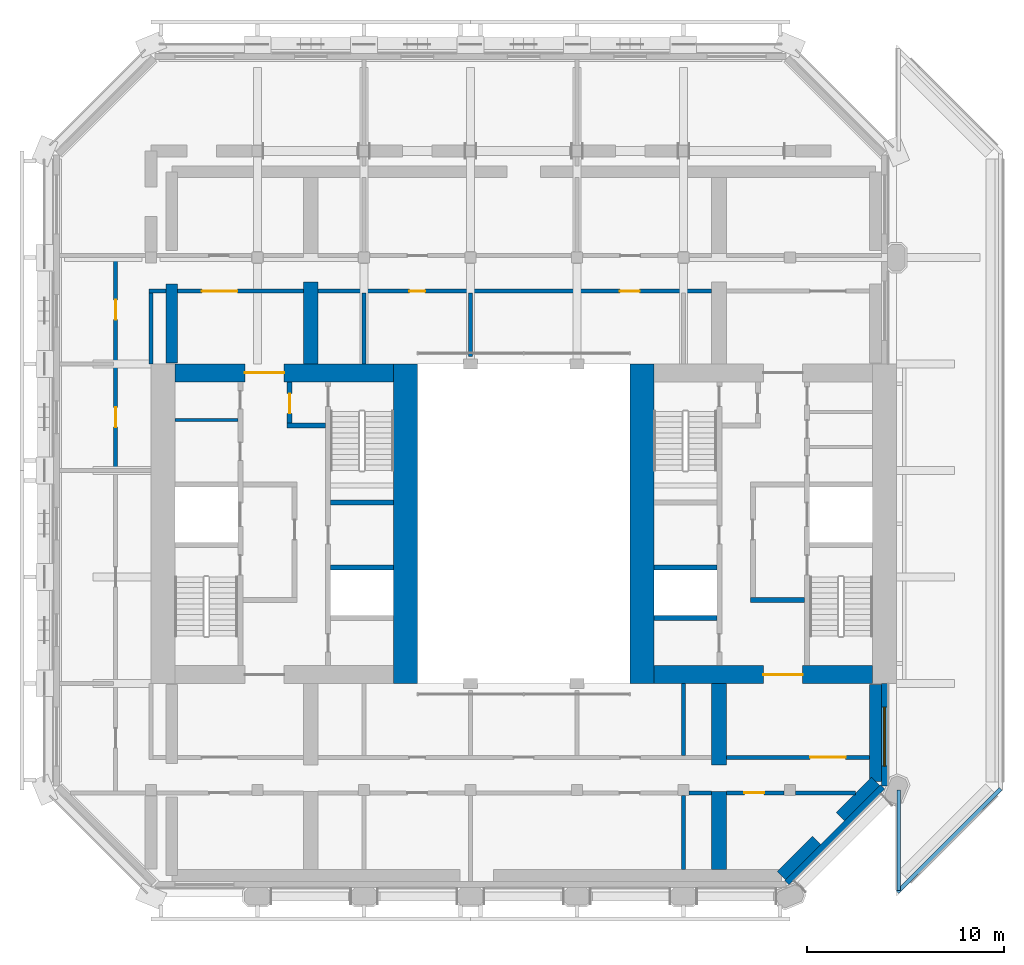
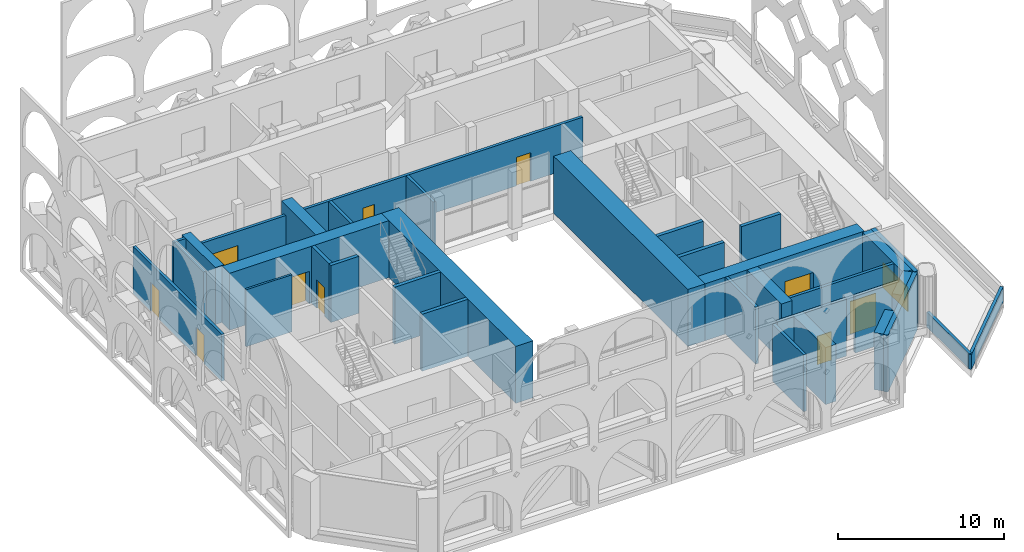
# One storey, part 8 of 16: 36 walls, 10 doors, 1 window, 11 openings.
"""IFC4 building model written with IfcOpenShell, lengths in metres."""

import ifcopenshell
import ifcopenshell.guid

model = None  # the IFC model being written
_history = None  # IfcOwnerHistory: only IFC2X3 demands one
_inside = {}  # id of a spatial element -> (the spatial element, [elements in it])
_under = {}  # id of a project, library or spatial element -> (it, [spatial elements below it])
_declared = {}  # id of a project -> (the project, [libraries it declares])
_typed = {}  # id of a type object -> (the type object, [elements of that type])
_made_of = {}  # id of a material, layer set ... -> (it, [elements and type objects made of it])


def new_model(schema):
    """Start an empty IFC model of exactly this schema.

    Asked for "IFC4X3", IfcOpenShell would pick the latest addendum, in which some entities
    have other attributes; the version numbers below select the first issue.
    IFC2X3 requires an IfcOwnerHistory on every rooted entity: one is made here for all.
    """
    global model, _history
    if schema == "IFC4X3":
        model = ifcopenshell.file(schema_version=(4, 3, 0, 0))
    else:
        model = ifcopenshell.file(schema=schema)
    _inside.clear()
    _under.clear()
    _declared.clear()
    _typed.clear()
    _made_of.clear()
    _history = None
    if model.schema == "IFC2X3":
        org = make("IfcOrganization", Name="unknown")
        user = make(
            "IfcPersonAndOrganization",
            ThePerson=make("IfcPerson", FamilyName="unknown"),
            TheOrganization=org,
        )
        app = make(
            "IfcApplication",
            ApplicationDeveloper=org,
            Version="unknown",
            ApplicationFullName="unknown",
            ApplicationIdentifier="unknown",
        )
        _history = make(
            "IfcOwnerHistory",
            OwningUser=user,
            OwningApplication=app,
            ChangeAction="ADDED",
            CreationDate=0,
        )
    return model


def make(cls, **values):
    """One entity of the class cls with the attributes given. An attribute that is None is left unset."""
    return model.create_entity(
        cls, **{name: value for name, value in values.items() if value is not None}
    )


def rooted(cls, **values):
    """An entity with a GlobalId (a new one), such as an element, a storey or a relation."""
    return make(cls, GlobalId=ifcopenshell.guid.new(), OwnerHistory=_history, **values)


def si_unit(unit_type, name, prefix=None):
    """IfcSIUnit, for example si_unit("LENGTHUNIT", "METRE", prefix="MILLI")."""
    return make("IfcSIUnit", UnitType=unit_type, Prefix=prefix, Name=name)


def assignment(units):
    """IfcUnitAssignment: the units of a project."""
    return None if units is None else make("IfcUnitAssignment", Units=units)


def point(xyz):
    """IfcCartesianPoint."""
    return None if xyz is None else make("IfcCartesianPoint", Coordinates=xyz)


def direction(xyz):
    """IfcDirection."""
    return None if xyz is None else make("IfcDirection", DirectionRatios=xyz)


def frame(location, z_axis=None, x_axis=None):
    """IfcAxis2Placement3D, a coordinate frame: its origin and axes. An axis left out is left unset."""
    return make(
        "IfcAxis2Placement3D",
        Location=point(location),
        Axis=direction(z_axis),
        RefDirection=direction(x_axis),
    )


def frame_2d(location, x_axis=None):
    """IfcAxis2Placement2D, a coordinate frame in the plane: its origin and x axis."""
    return make(
        "IfcAxis2Placement2D", Location=point(location), RefDirection=direction(x_axis)
    )


def origin():
    """The frame at (0, 0, 0) with its axes left unset."""
    return frame((0.0, 0.0, 0.0))


def place(relative_to, where):
    """IfcLocalPlacement: puts the frame where relative to a parent placement (None: the world)."""
    return make(
        "IfcLocalPlacement", PlacementRelTo=relative_to, RelativePlacement=where
    )


def context(
    kind, dimensions, precision=None, world=None, true_north=None, identifier=None
):
    """IfcGeometricRepresentationContext, for example the 3D "Model" context."""
    return make(
        "IfcGeometricRepresentationContext",
        ContextIdentifier=identifier,
        ContextType=kind,
        CoordinateSpaceDimension=dimensions,
        Precision=precision,
        WorldCoordinateSystem=world,
        TrueNorth=true_north,
    )


def subcontext(parent, identifier, kind, view, scale=None):
    """IfcGeometricRepresentationSubContext, for example "Body" below "Model"."""
    return make(
        "IfcGeometricRepresentationSubContext",
        ContextIdentifier=identifier,
        ContextType=kind,
        ParentContext=parent,
        TargetScale=scale,
        TargetView=view,
    )


def project(units=None, contexts=None):
    """IfcProject with its units and contexts."""
    return rooted(
        "IfcProject",
        Name="project",
        RepresentationContexts=contexts,
        UnitsInContext=assignment(units),
    )


def spatial(cls, under=None, at=None, **own):
    """A site, building, storey or space (cls), placed at a placement, below another one or the project."""
    s = rooted(cls, ObjectPlacement=at, **own)
    if under is not None:
        _under.setdefault(under.id(), (under, []))[1].append(s)
    return s


def polyline(points):
    """IfcPolyline through the points."""
    return make("IfcPolyline", Points=[point(p) for p in points])


def profile(cls, at=None, kind="AREA", **sizes):
    """A parametric profile (cls). Its sizes go by their IFC names, for example OverallWidth=200.0."""
    return make(cls, ProfileType=kind, Position=at, **sizes)


def rectangle(**sizes):
    """IfcRectangleProfileDef."""
    return profile("IfcRectangleProfileDef", **sizes)


def outline(outer, holes=None, kind="AREA"):
    """IfcArbitraryClosedProfileDef: a profile drawn as a closed curve; with holes, ...WithVoids."""
    if holes is None:
        return make("IfcArbitraryClosedProfileDef", ProfileType=kind, OuterCurve=outer)
    return make(
        "IfcArbitraryProfileDefWithVoids",
        ProfileType=kind,
        OuterCurve=outer,
        InnerCurves=holes,
    )


def extrude(swept, where, along, depth):
    """IfcExtrudedAreaSolid: the profile swept, set in the frame where, extruded along a direction by depth."""
    return make(
        "IfcExtrudedAreaSolid",
        SweptArea=swept,
        Position=where,
        ExtrudedDirection=direction(along),
        Depth=depth,
    )


def shape(context_of_items, identifier, shape_type, items):
    """IfcShapeRepresentation: the items that make up one representation, for example the "Body"."""
    return make(
        "IfcShapeRepresentation",
        ContextOfItems=context_of_items,
        RepresentationIdentifier=identifier,
        RepresentationType=shape_type,
        Items=items,
    )


def material(Name=None, Category=None):
    """IfcMaterial."""
    return make("IfcMaterial", Name=Name, Category=Category)


def layer(
    of_material, thickness, ventilated=None, Name=None, Category=None, Priority=None
):
    """IfcMaterialLayer: one layer of a wall or slab, of a material (None: an air gap)."""
    return make(
        "IfcMaterialLayer",
        Material=of_material,
        LayerThickness=thickness,
        IsVentilated=ventilated,
        Name=Name,
        Category=Category,
        Priority=Priority,
    )


def layer_set(layers, Name=None):
    """IfcMaterialLayerSet."""
    return make("IfcMaterialLayerSet", MaterialLayers=layers, LayerSetName=Name)


def made_of(thing, what):
    """Note that an element or type object is made of a material, layer set ...; save() writes the relation."""
    if what is not None:
        _made_of.setdefault(what.id(), (what, []))[1].append(thing)
    return thing


def type_object(cls, material=None, **own):
    """A type object (cls), such as IfcWallType, which elements share."""
    return made_of(rooted(cls, **own), material)


def element(
    cls,
    number,
    at=None,
    inside=None,
    cuts=None,
    type_object=None,
    material=None,
    context=None,
    identifier="Body",
    shape_type=None,
    held_by="IfcProductDefinitionShape",
    body=None,
    shapes=None,
    **own,
):
    """One element of the class cls, such as IfcWall. Its Tag is "e" and its number.

    at: its placement. inside: the storey or other place that contains it. cuts: it is an
    opening in that element (IfcRelVoidsElement). A single representation is given by context,
    identifier, shape_type and body (its items); several are given by shapes. held_by: the class
    of the entity that holds the representations. save() writes the other relations.
    """
    e = rooted(cls, Tag="e%d" % number, ObjectPlacement=at, **own)
    if body is not None:
        shapes = [shape(context, identifier, shape_type, body)]
    if shapes is not None:
        e.Representation = make(held_by, Representations=shapes)
    if inside is not None:
        _inside.setdefault(inside.id(), (inside, []))[1].append(e)
    if cuts is not None:
        rooted(
            "IfcRelVoidsElement", RelatingBuildingElement=cuts, RelatedOpeningElement=e
        )
    if type_object is not None:
        _typed.setdefault(type_object.id(), (type_object, []))[1].append(e)
    return made_of(e, material)


def fill(opening, filler):
    """IfcRelFillsElement: the door or window that sits in an opening."""
    return rooted(
        "IfcRelFillsElement",
        RelatingOpeningElement=opening,
        RelatedBuildingElement=filler,
    )


def aggregate(whole, parts):
    """IfcRelAggregates: a whole, such as a stair, and the parts it consists of."""
    return rooted("IfcRelAggregates", RelatingObject=whole, RelatedObjects=parts)


def save(model, path):
    """Write the relations noted so far, then the file.

    IfcRelAggregates (storeys below a building ...), IfcRelContainedInSpatialStructure (elements
    in a storey), IfcRelDefinesByType, IfcRelAssociatesMaterial and IfcRelDeclares: one each for
    every whole, place, type object, material and project.
    """
    for whole, parts in _under.values():
        aggregate(whole, parts)
    for where, things in _inside.values():
        rooted(
            "IfcRelContainedInSpatialStructure",
            RelatedElements=things,
            RelatingStructure=where,
        )
    for kind, things in _typed.values():
        rooted("IfcRelDefinesByType", RelatedObjects=things, RelatingType=kind)
    for what, things in _made_of.values():
        rooted("IfcRelAssociatesMaterial", RelatedObjects=things, RelatingMaterial=what)
    for by, libraries in _declared.values():
        rooted("IfcRelDeclares", RelatingContext=by, RelatedDefinitions=libraries)
    model.write(path)


model = new_model("IFC4")

# Units and contexts
model_context = context("Model", 3, precision=1e-05, world=origin(), true_north=direction((0.0, 1.0)))
body_context = subcontext(model_context, "Body", "Model", "MODEL_VIEW")
ifc_project = project(units=[si_unit("LENGTHUNIT", "METRE"), si_unit("AREAUNIT", "SQUARE_METRE"), si_unit("VOLUMEUNIT", "CUBIC_METRE"), si_unit("PLANEANGLEUNIT", "RADIAN"), si_unit("MASSUNIT", "GRAM", prefix="KILO")], contexts=[model_context])

# Site, building, storey
site_placement = place(None, origin())
site = spatial("IfcSite", under=ifc_project, at=site_placement, CompositionType="ELEMENT")
building_placement = place(site_placement, origin())
building = spatial("IfcBuilding", under=site, at=building_placement, Name="Tabaq Tower and Sports Hall", CompositionType="ELEMENT")
storey_placement = place(building_placement, frame((0.0, 0.0, 308.199951171875)))
storey = spatial("IfcBuildingStorey", under=building, at=storey_placement, Name="L77", CompositionType="ELEMENT", Elevation=308.199951171875)

# Walls
ifc_material_1 = material(Name="Blockwork", Category="masonry")
ifc_layer_1 = layer(ifc_material_1, 0.14990234375)
ifc_layer_set_1 = layer_set([ifc_layer_1], Name="Core room partition 150 Blockwork")
wall_type_1 = type_object("IfcWallType", Name="Core room partition 150 Blockwork", PredefinedType="PARTITIONING", material=ifc_layer_set_1)
wall_1_placement = place(storey_placement, frame((6.60009765625, 29.571044921875, 0.0), z_axis=(0.0, 0.0, 1.0), x_axis=(1.0, 0.0, 0.0)))
element("IfcWall", 1, at=wall_1_placement, inside=storey, type_object=wall_type_1, Name="Core room partition W L77", PredefinedType="PARTITIONING", context=body_context, shape_type="SweptSolid", body=[
    extrude(rectangle(XDim=3.199951171875, YDim=0.14990234375, at=frame_2d((1.60009765625, 0.0))), origin(), (0.0, 0.0, 1.0), 4.199951171875),
])
ifc_material_2 = material(Name="Concrete C40/50", Category="concrete")
ifc_layer_2 = layer(ifc_material_2, 1.199951171875)
ifc_layer_set_2 = layer_set([ifc_layer_2], Name="Core wall 1200 Concrete C40/50")
wall_type_2 = type_object("IfcWallType", Name="Core wall 1200 Concrete C40/50", PredefinedType="SOLIDWALL", material=ifc_layer_set_2)
for number, where, z_axis, x_axis, name in (
    (2, (18.300048828125, 32.39990234375, 0.0), (0.0, 0.0, 1.0), (0.0, -1.0, 0.0), "Core wall W L77"),
    (3, (30.300048828125, 16.199951171875, 0.0), (0.0, 0.0, 1.0), (0.0, 1.0, 0.0), "Core wall E L77"),
):
    element("IfcWall", number, at=place(storey_placement, frame(where, z_axis=z_axis, x_axis=x_axis)), inside=storey, type_object=wall_type_2, Name=name, PredefinedType="SOLIDWALL", context=body_context, shape_type="SweptSolid", body=[
        extrude(rectangle(XDim=16.199951171875, YDim=1.199951171875, at=frame_2d((8.10009765625, 0.0))), origin(), (0.0, 0.0, 1.0), 4.199951171875),
    ])

# Wall, opening, door
ifc_material_3 = material(Name="Concrete C40/50", Category="concrete")
ifc_layer_3 = layer(ifc_material_3, 0.89990234375)
ifc_layer_set_3 = layer_set([ifc_layer_3], Name="Core wall 900 Concrete C40/50")
wall_type_3 = type_object("IfcWallType", Name="Core wall 900 Concrete C40/50", PredefinedType="SOLIDWALL", material=ifc_layer_set_3)
wall_2_placement = place(storey_placement, frame((6.60009765625, 31.949951171875, 0.0), z_axis=(0.0, 0.0, 1.0), x_axis=(1.0, 0.0, 0.0)))
wall_2 = element("IfcWall", 4, at=wall_2_placement, inside=storey, type_object=wall_type_3, Name="Core wall W L77", PredefinedType="SOLIDWALL", context=body_context, shape_type="SweptSolid", body=[
    extrude(rectangle(XDim=11.099853515625, YDim=0.89990234375, at=frame_2d((5.5498046875, 0.0))), origin(), (0.0, 0.0, 1.0), 4.199951171875),
])
opening_1_placement = place(wall_2_placement, frame((3.550048828125, 0.0, 0.0)))
opening_1 = element("IfcOpeningElement", 5, at=opening_1_placement, cuts=wall_2, Name="Opening PD-WL77-02", PredefinedType="OPENING", context=body_context, shape_type="SweptSolid", body=[
    extrude(rectangle(XDim=2.0, YDim=2.39990234375, at=frame_2d((1.0, 1.199951171875))), frame((0.0, 0.449951171875, 0.0), z_axis=(0.0, -1.0, 0.0), x_axis=(1.0, 0.0, 0.0)), (0.0, 0.0, 1.0), 0.89990234375),
])
ifc_material_4 = material(Name="Steel fire door", Category="steel")
door_type_1 = type_object("IfcDoorType", Name="Core entrance door 2000", OperationType="DOUBLE_DOOR_SINGLE_SWING", PredefinedType="DOOR", material=ifc_material_4)
door_1_placement = place(opening_1_placement, origin())
door_1 = element("IfcDoor", 6, at=door_1_placement, inside=storey, type_object=door_type_1, Name="Core entrance north W L77", OperationType="DOUBLE_DOOR_SINGLE_SWING", OverallHeight=2.39990234375, OverallWidth=2.0, PredefinedType="DOOR", context=body_context, shape_type="SweptSolid", body=[
    extrude(rectangle(XDim=2.0, YDim=2.39990234375, at=frame_2d((1.0, 1.199951171875))), frame((0.0, 0.02490234375, 0.0), z_axis=(0.0, -1.0, 0.0), x_axis=(1.0, 0.0, 0.0)), (0.0, 0.0, 1.0), 0.050048828125),
])
fill(opening_1, door_1)

wall_3_placement = place(storey_placement, frame((42.0, 16.64990234375, 0.0), z_axis=(0.0, 0.0, 1.0), x_axis=(-1.0, 0.0, 0.0)))
wall_3 = element("IfcWall", 7, at=wall_3_placement, inside=storey, type_object=wall_type_3, Name="Core wall E L77", PredefinedType="SOLIDWALL", context=body_context, shape_type="SweptSolid", body=[
    extrude(rectangle(XDim=11.10009765625, YDim=0.89990234375, at=frame_2d((5.550048828125, 0.0))), origin(), (0.0, 0.0, 1.0), 4.199951171875),
])
opening_2_placement = place(wall_3_placement, frame((3.550048828125, 0.0, 0.0)))
opening_2 = element("IfcOpeningElement", 8, at=opening_2_placement, cuts=wall_3, Name="Opening PD-EL77-01", PredefinedType="OPENING", context=body_context, shape_type="SweptSolid", body=[
    extrude(rectangle(XDim=2.0, YDim=2.39990234375, at=frame_2d((1.0, 1.199951171875))), frame((0.0, 0.449951171875, 0.0), z_axis=(0.0, -1.0, 0.0), x_axis=(1.0, 0.0, 0.0)), (0.0, 0.0, 1.0), 0.89990234375),
])
door_2_placement = place(opening_2_placement, origin())
door_2 = element("IfcDoor", 9, at=door_2_placement, inside=storey, type_object=door_type_1, Name="Core entrance south E L77", OperationType="DOUBLE_DOOR_SINGLE_SWING", OverallHeight=2.39990234375, OverallWidth=2.0, PredefinedType="DOOR", context=body_context, shape_type="SweptSolid", body=[
    extrude(rectangle(XDim=2.0, YDim=2.39990234375, at=frame_2d((1.0, 1.199951171875))), frame((0.0, 0.02490234375, 0.0), z_axis=(0.0, -1.0, 0.0), x_axis=(1.0, 0.0, 0.0)), (0.0, 0.0, 1.0), 0.050048828125),
])
fill(opening_2, door_2)

# Walls
ifc_material_5 = material(Name="Blockwork", Category="masonry")
ifc_layer_4 = layer(ifc_material_5, 0.199951171875)
ifc_layer_set_4 = layer_set([ifc_layer_4], Name="Fire compartment wall 200 Blockwork")
wall_type_4 = type_object("IfcWallType", Name="Fire compartment wall 200 Blockwork", PredefinedType="PARTITIONING", material=ifc_layer_set_4)
wall_4_placement = place(storey_placement, frame((21.60009765625, 36.0, 0.0), z_axis=(0.0, 0.0, 1.0), x_axis=(0.0, -1.0, 0.0)))
element("IfcWall", 10, at=wall_4_placement, inside=storey, type_object=wall_type_4, Name="Compartment wall L77", PredefinedType="PARTITIONING", context=body_context, shape_type="SweptSolid", body=[
    extrude(rectangle(XDim=3.22998046875, YDim=0.199951171875, at=frame_2d((1.614990234375, 0.0))), origin(), (0.0, 0.0, 1.0), 3.449951171875),
])
wall_5_placement = place(storey_placement, frame((16.199951171875, 36.0, 0.0), z_axis=(0.0, 0.0, 1.0), x_axis=(0.0, -1.0, 0.0)))
element("IfcWall", 11, at=wall_5_placement, inside=storey, type_object=wall_type_4, Name="Compartment wall L77", PredefinedType="PARTITIONING", context=body_context, shape_type="SweptSolid", body=[
    extrude(rectangle(XDim=3.60009765625, YDim=0.199951171875, at=frame_2d((1.800048828125, 0.0))), origin(), (0.0, 0.0, 1.0), 3.449951171875),
])

# Wall, openings, doors
wall_6_placement = place(storey_placement, frame((3.60009765625, 27.10009765625, 0.0), z_axis=(0.0, 0.0, 1.0), x_axis=(0.0, 1.0, 0.0)))
wall_6 = element("IfcWall", 12, at=wall_6_placement, inside=storey, type_object=wall_type_4, Name="Compartment wall L77", PredefinedType="PARTITIONING", context=body_context, shape_type="SweptSolid", body=[
    extrude(rectangle(XDim=10.699951171875, YDim=0.199951171875, at=frame_2d((5.35009765625, 0.0))), origin(), (0.0, 0.0, 1.0), 3.449951171875),
])
opening_3_placement = place(wall_6_placement, frame((7.550048828125, 0.0, 0.0)))
opening_3 = element("IfcOpeningElement", 13, at=opening_3_placement, cuts=wall_6, Name="Opening L77-001", PredefinedType="OPENING", context=body_context, shape_type="SweptSolid", body=[
    extrude(rectangle(XDim=1.0, YDim=2.10009765625, at=frame_2d((0.5, 1.050048828125))), frame((0.0, 0.10009765625, 0.0), z_axis=(0.0, -1.0, 0.0), x_axis=(1.0, 0.0, 0.0)), (0.0, 0.0, 1.0), 0.199951171875),
])
opening_4_placement = place(wall_6_placement, frame((2.10009765625, 0.0, 0.0)))
opening_4 = element("IfcOpeningElement", 14, at=opening_4_placement, cuts=wall_6, Name="Opening L77-007", PredefinedType="OPENING", context=body_context, shape_type="SweptSolid", body=[
    extrude(rectangle(XDim=1.0, YDim=2.10009765625, at=frame_2d((0.5, 1.050048828125))), frame((0.0, 0.10009765625, 0.0), z_axis=(0.0, -1.0, 0.0), x_axis=(1.0, 0.0, 0.0)), (0.0, 0.0, 1.0), 0.199951171875),
])
ifc_material_6 = material(Name="Steel fire door", Category="steel")
door_type_2 = type_object("IfcDoorType", Name="Plant room door 1000 left hand", OperationType="SINGLE_SWING_LEFT", PredefinedType="DOOR", material=ifc_material_6)
door_3_placement = place(opening_3_placement, origin())
door_3 = element("IfcDoor", 15, at=door_3_placement, inside=storey, type_object=door_type_2, Name="Plant room door L77-001", OperationType="SINGLE_SWING_LEFT", OverallHeight=2.10009765625, OverallWidth=1.0, PredefinedType="DOOR", context=body_context, shape_type="SweptSolid", body=[
    extrude(rectangle(XDim=1.0, YDim=2.10009765625, at=frame_2d((0.5, 1.050048828125))), frame((0.0, 0.02490234375, 0.0), z_axis=(0.0, -1.0, 0.0), x_axis=(1.0, 0.0, 0.0)), (0.0, 0.0, 1.0), 0.050048828125),
])
fill(opening_3, door_3)
ifc_material_7 = material(Name="Steel fire door", Category="steel")
door_type_3 = type_object("IfcDoorType", Name="Riser door 1000 right hand", OperationType="SINGLE_SWING_RIGHT", PredefinedType="DOOR", material=ifc_material_7)
door_4_placement = place(opening_4_placement, origin())
door_4 = element("IfcDoor", 16, at=door_4_placement, inside=storey, type_object=door_type_3, Name="Riser door L77-007", OperationType="SINGLE_SWING_RIGHT", OverallHeight=2.10009765625, OverallWidth=1.0, PredefinedType="DOOR", context=body_context, shape_type="SweptSolid", body=[
    extrude(rectangle(XDim=1.0, YDim=2.10009765625, at=frame_2d((0.5, 1.050048828125))), frame((0.0, 0.02490234375, 0.0), z_axis=(0.0, -1.0, 0.0), x_axis=(1.0, 0.0, 0.0)), (0.0, 0.0, 1.0), 0.050048828125),
])
fill(opening_4, door_4)

wall_7_placement = place(storey_placement, frame((33.823974609375, 36.10009765625, 0.0), z_axis=(0.0, 0.0, 1.0), x_axis=(-1.0, 0.0, 0.0)))
wall_7 = element("IfcWall", 17, at=wall_7_placement, inside=storey, type_object=wall_type_4, Name="Compartment wall L77", PredefinedType="PARTITIONING", context=body_context, shape_type="SweptSolid", body=[
    extrude(rectangle(XDim=19.947998046875, YDim=0.199951171875, at=frame_2d((9.97412109375, 0.0))), origin(), (0.0, 0.0, 1.0), 3.449951171875),
])
opening_5_placement = place(wall_7_placement, frame((3.64111328125, 0.0, 0.0)))
opening_5 = element("IfcOpeningElement", 18, at=opening_5_placement, cuts=wall_7, Name="Opening L77-005", PredefinedType="OPENING", context=body_context, shape_type="SweptSolid", body=[
    extrude(rectangle(XDim=1.0, YDim=2.10009765625, at=frame_2d((0.5, 1.050048828125))), frame((0.0, 0.10009765625, 0.0), z_axis=(0.0, -1.0, 0.0), x_axis=(1.0, 0.0, 0.0)), (0.0, 0.0, 1.0), 0.199951171875),
])
opening_6_placement = place(wall_7_placement, frame((14.52392578125, 0.0, 0.0)))
opening_6 = element("IfcOpeningElement", 19, at=opening_6_placement, cuts=wall_7, Name="Opening L77-006", PredefinedType="OPENING", context=body_context, shape_type="SweptSolid", body=[
    extrude(rectangle(XDim=0.800048828125, YDim=2.10009765625, at=frame_2d((0.39990234375, 1.050048828125))), frame((0.0, 0.10009765625, 0.0), z_axis=(0.0, -1.0, 0.0), x_axis=(1.0, 0.0, 0.0)), (0.0, 0.0, 1.0), 0.199951171875),
])
door_5_placement = place(opening_5_placement, origin())
door_5 = element("IfcDoor", 20, at=door_5_placement, inside=storey, type_object=door_type_2, Name="Plant room door L77-005", OperationType="SINGLE_SWING_LEFT", OverallHeight=2.10009765625, OverallWidth=1.0, PredefinedType="DOOR", context=body_context, shape_type="SweptSolid", body=[
    extrude(rectangle(XDim=1.0, YDim=2.10009765625, at=frame_2d((0.5, 1.050048828125))), frame((0.0, 0.02490234375, 0.0), z_axis=(0.0, -1.0, 0.0), x_axis=(1.0, 0.0, 0.0)), (0.0, 0.0, 1.0), 0.050048828125),
])
fill(opening_5, door_5)
ifc_material_8 = material(Name="Steel fire door", Category="steel")
door_type_4 = type_object("IfcDoorType", Name="Plant room door 800 right hand", OperationType="SINGLE_SWING_RIGHT", PredefinedType="DOOR", material=ifc_material_8)
door_6_placement = place(opening_6_placement, origin())
door_6 = element("IfcDoor", 21, at=door_6_placement, inside=storey, type_object=door_type_4, Name="Plant room door L77-006", OperationType="SINGLE_SWING_RIGHT", OverallHeight=2.10009765625, OverallWidth=0.800048828125, PredefinedType="DOOR", context=body_context, shape_type="SweptSolid", body=[
    extrude(rectangle(XDim=0.800048828125, YDim=2.10009765625, at=frame_2d((0.39990234375, 1.050048828125))), frame((0.0, 0.02490234375, 0.0), z_axis=(0.0, -1.0, 0.0), x_axis=(1.0, 0.0, 0.0)), (0.0, 0.0, 1.0), 0.050048828125),
])
fill(opening_6, door_6)

# Wall, opening, door
wall_8_placement = place(storey_placement, frame((13.1240234375, 36.10009765625, 0.0), z_axis=(0.0, 0.0, 1.0), x_axis=(-1.0, 0.0, 0.0)))
wall_8 = element("IfcWall", 22, at=wall_8_placement, inside=storey, type_object=wall_type_4, Name="Compartment wall L77", PredefinedType="PARTITIONING", context=body_context, shape_type="SweptSolid", body=[
    extrude(rectangle(XDim=6.373046875, YDim=0.199951171875, at=frame_2d((3.1865234375, 0.0))), origin(), (0.0, 0.0, 1.0), 3.449951171875),
])
opening_7_placement = place(wall_8_placement, frame((3.34912109375, 0.0, 0.0)))
opening_7 = element("IfcOpeningElement", 23, at=opening_7_placement, cuts=wall_8, Name="Opening L77-018", PredefinedType="OPENING", context=body_context, shape_type="SweptSolid", body=[
    extrude(rectangle(XDim=1.800048828125, YDim=2.39990234375, at=frame_2d((0.89990234375, 1.199951171875))), frame((0.0, 0.10009765625, 0.0), z_axis=(0.0, -1.0, 0.0), x_axis=(1.0, 0.0, 0.0)), (0.0, 0.0, 1.0), 0.199951171875),
])
ifc_material_9 = material(Name="Steel fire door", Category="steel")
door_type_5 = type_object("IfcDoorType", Name="Plant room door 1800", OperationType="DOUBLE_DOOR_SINGLE_SWING", PredefinedType="DOOR", material=ifc_material_9)
door_7_placement = place(opening_7_placement, origin())
door_7 = element("IfcDoor", 24, at=door_7_placement, inside=storey, type_object=door_type_5, Name="Plant room door L77-018", OperationType="DOUBLE_DOOR_SINGLE_SWING", OverallHeight=2.39990234375, OverallWidth=1.800048828125, PredefinedType="DOOR", context=body_context, shape_type="SweptSolid", body=[
    extrude(rectangle(XDim=1.800048828125, YDim=2.39990234375, at=frame_2d((0.89990234375, 1.199951171875))), frame((0.0, 0.02490234375, 0.0), z_axis=(0.0, -1.0, 0.0), x_axis=(1.0, 0.0, 0.0)), (0.0, 0.0, 1.0), 0.050048828125),
])
fill(opening_7, door_7)

# Walls
wall_9_placement = place(storey_placement, frame((6.14892578125, 36.10009765625, 0.0), z_axis=(0.0, 0.0, 1.0), x_axis=(-1.0, 0.0, 0.0)))
element("IfcWall", 25, at=wall_9_placement, inside=storey, type_object=wall_type_4, Name="Compartment wall L77", PredefinedType="PARTITIONING", context=body_context, shape_type="SweptSolid", body=[
    extrude(rectangle(XDim=0.848876953125, YDim=0.199951171875, at=frame_2d((0.42431640625, 0.0))), origin(), (0.0, 0.0, 1.0), 4.199951171875),
])
wall_10_placement = place(storey_placement, frame((5.39990234375, 36.0, 0.0), z_axis=(0.0, 0.0, 1.0), x_axis=(0.0, -1.0, 0.0)))
element("IfcWall", 26, at=wall_10_placement, inside=storey, type_object=wall_type_4, Name="Compartment wall L77", PredefinedType="PARTITIONING", context=body_context, shape_type="SweptSolid", body=[
    extrude(rectangle(XDim=3.60009765625, YDim=0.199951171875, at=frame_2d((1.800048828125, 0.0))), origin(), (0.0, 0.0, 1.0), 4.199951171875),
])
wall_11_placement = place(storey_placement, frame((32.39990234375, 6.7509765625, 0.0), z_axis=(0.0, 0.0, 1.0), x_axis=(0.0, 1.0, 0.0)))
element("IfcWall", 27, at=wall_11_placement, inside=storey, type_object=wall_type_4, Name="Compartment wall L77", PredefinedType="PARTITIONING", context=body_context, shape_type="SweptSolid", body=[
    extrude(rectangle(XDim=3.75390625, YDim=0.199951171875, at=frame_2d((1.876953125, 0.0))), origin(), (0.0, 0.0, 1.0), 4.199951171875),
])
wall_12_placement = place(storey_placement, frame((32.695068359375, 10.64990234375, 0.0), z_axis=(0.0, 0.0, 1.0), x_axis=(1.0, 0.0, 0.0)))
element("IfcWall", 28, at=wall_12_placement, inside=storey, type_object=wall_type_4, Name="Compartment wall L77", PredefinedType="PARTITIONING", context=body_context, shape_type="SweptSolid", body=[
    extrude(rectangle(XDim=1.12890625, YDim=0.199951171875, at=frame_2d((0.564453125, 0.0))), origin(), (0.0, 0.0, 1.0), 4.199951171875),
])

# Wall, opening, door
wall_13_placement = place(storey_placement, frame((34.575927734375, 10.64990234375, 0.0), z_axis=(0.0, 0.0, 1.0), x_axis=(1.0, 0.0, 0.0)))
wall_13 = element("IfcWall", 29, at=wall_13_placement, inside=storey, type_object=wall_type_4, Name="Compartment wall L77", PredefinedType="PARTITIONING", context=body_context, shape_type="SweptSolid", body=[
    extrude(rectangle(XDim=2.928955078125, YDim=0.199951171875, at=frame_2d((1.46435546875, 0.0))), origin(), (0.0, 0.0, 1.0), 4.199951171875),
])
opening_8_placement = place(wall_13_placement, frame((0.919921875, 0.0, 0.0)))
opening_8 = element("IfcOpeningElement", 30, at=opening_8_placement, cuts=wall_13, Name="Opening L77-009", PredefinedType="OPENING", context=body_context, shape_type="SweptSolid", body=[
    extrude(rectangle(XDim=1.0, YDim=2.10009765625, at=frame_2d((0.5, 1.050048828125))), frame((0.0, 0.10009765625, 0.0), z_axis=(0.0, -1.0, 0.0), x_axis=(1.0, 0.0, 0.0)), (0.0, 0.0, 1.0), 0.199951171875),
])
ifc_material_10 = material(Name="Steel fire door", Category="steel")
door_type_6 = type_object("IfcDoorType", Name="Plant room door 1000 right hand", OperationType="SINGLE_SWING_RIGHT", PredefinedType="DOOR", material=ifc_material_10)
door_8_placement = place(opening_8_placement, origin())
door_8 = element("IfcDoor", 31, at=door_8_placement, inside=storey, type_object=door_type_6, Name="Plant room door L77-009", OperationType="SINGLE_SWING_RIGHT", OverallHeight=2.10009765625, OverallWidth=1.0, PredefinedType="DOOR", context=body_context, shape_type="SweptSolid", body=[
    extrude(rectangle(XDim=1.0, YDim=2.10009765625, at=frame_2d((0.5, 1.050048828125))), frame((0.0, 0.02490234375, 0.0), z_axis=(0.0, -1.0, 0.0), x_axis=(1.0, 0.0, 0.0)), (0.0, 0.0, 1.0), 0.050048828125),
])
fill(opening_8, door_8)

# Walls
wall_14_placement = place(storey_placement, frame((38.094970703125, 10.64990234375, 0.0), z_axis=(0.0, 0.0, 1.0), x_axis=(1.0, 0.0, 0.0)))
element("IfcWall", 32, at=wall_14_placement, inside=storey, type_object=wall_type_4, Name="Compartment wall L77", PredefinedType="PARTITIONING", context=body_context, shape_type="SweptSolid", body=[
    extrude(rectangle(XDim=3.04443359375, YDim=0.199951171875, at=frame_2d((1.522216796875, 0.0))), origin(), (0.0, 0.0, 1.0), 4.199951171875),
])
wall_15_placement = place(storey_placement, frame((32.39990234375, 12.550048828125, 0.0), z_axis=(0.0, 0.0, 1.0), x_axis=(0.0, 1.0, 0.0)))
element("IfcWall", 33, at=wall_15_placement, inside=storey, type_object=wall_type_4, Name="Compartment wall L77", PredefinedType="PARTITIONING", context=body_context, shape_type="SweptSolid", body=[
    extrude(rectangle(XDim=3.64990234375, YDim=0.199951171875, at=frame_2d((1.824951171875, 0.0))), origin(), (0.0, 0.0, 1.0), 4.199951171875),
])

# Wall, opening, door
wall_16_placement = place(storey_placement, frame((34.575927734375, 12.449951171875, 0.0), z_axis=(0.0, 0.0, 1.0), x_axis=(1.0, 0.0, 0.0)))
wall_16 = element("IfcWall", 34, at=wall_16_placement, inside=storey, type_object=wall_type_4, Name="Compartment wall L77", PredefinedType="PARTITIONING", context=body_context, shape_type="SweptSolid", body=[
    extrude(rectangle(XDim=7.273193359375, YDim=0.199951171875, at=frame_2d((3.63671875, 0.0))), origin(), (0.0, 0.0, 1.0), 4.199951171875),
])
opening_9_placement = place(wall_16_placement, frame((4.252197265625, 0.0, 0.0)))
opening_9 = element("IfcOpeningElement", 35, at=opening_9_placement, cuts=wall_16, Name="Opening L77-019", PredefinedType="OPENING", context=body_context, shape_type="SweptSolid", body=[
    extrude(rectangle(XDim=1.800048828125, YDim=2.39990234375, at=frame_2d((0.89990234375, 1.199951171875))), frame((0.0, 0.10009765625, 0.0), z_axis=(0.0, -1.0, 0.0), x_axis=(1.0, 0.0, 0.0)), (0.0, 0.0, 1.0), 0.199951171875),
])
door_9_placement = place(opening_9_placement, origin())
door_9 = element("IfcDoor", 36, at=door_9_placement, inside=storey, type_object=door_type_5, Name="Plant room door L77-019", OperationType="DOUBLE_DOOR_SINGLE_SWING", OverallHeight=2.39990234375, OverallWidth=1.800048828125, PredefinedType="DOOR", context=body_context, shape_type="SweptSolid", body=[
    extrude(rectangle(XDim=1.800048828125, YDim=2.39990234375, at=frame_2d((0.89990234375, 1.199951171875))), frame((0.0, 0.02490234375, 0.0), z_axis=(0.0, -1.0, 0.0), x_axis=(1.0, 0.0, 0.0)), (0.0, 0.0, 1.0), 0.050048828125),
])
fill(opening_9, door_9)

# Walls
ifc_material_11 = material(Name="Concrete C40/50", Category="concrete")
ifc_layer_5 = layer(ifc_material_11, 0.60009765625)
ifc_layer_set_5 = layer_set([ifc_layer_5], Name="RC BELT WALL 600 C40/50")
wall_type_5 = type_object("IfcWallType", Name="RC BELT WALL 600 C40/50", PredefinedType="SHEAR", material=ifc_layer_set_5)
wall_17_placement = place(storey_placement, frame((6.449951171875, 32.449951171875, 0.0), z_axis=(0.0, 0.0, 1.0), x_axis=(0.0, 1.0, 0.0)))
element("IfcWall", 37, at=wall_17_placement, inside=storey, type_object=wall_type_5, Name="Belt Wall L77 3", PredefinedType="SHEAR", context=body_context, shape_type="SweptSolid", body=[
    extrude(rectangle(XDim=4.0, YDim=0.60009765625, at=frame_2d((2.0, 0.0))), origin(), (0.0, 0.0, 1.0), 4.199951171875),
])
wall_18_placement = place(storey_placement, frame((42.14990234375, 16.14990234375, 0.0), z_axis=(0.0, 0.0, 1.0), x_axis=(0.0, -1.0, 0.0)))
element("IfcWall", 38, at=wall_18_placement, inside=storey, type_object=wall_type_5, Name="Belt Wall L77 9", PredefinedType="SHEAR", context=body_context, shape_type="SweptSolid", body=[
    extrude(rectangle(XDim=4.9150390625, YDim=0.60009765625, at=frame_2d((2.45751953125, 0.0))), origin(), (0.0, 0.0, 1.0), 4.199951171875),
])
wall_19_placement = place(storey_placement, frame((42.14990234375, 11.23486328125, 0.0), z_axis=(0.0, 0.0, 1.0), x_axis=(-0.707106781187, -0.707106781187, 0.0)))
element("IfcWall", 39, at=wall_19_placement, inside=storey, type_object=wall_type_5, Name="Belt Wall L77 10", PredefinedType="SHEAR", context=body_context, shape_type="SweptSolid", body=[
    extrude(rectangle(XDim=2.533203125, YDim=0.60009765625, at=frame_2d((1.2666015625, 0.0))), origin(), (0.0, 0.0, 1.0), 4.199951171875),
])
wall_20_placement = place(storey_placement, frame((39.156494140625, 8.241455078125, 0.0), z_axis=(0.0, 0.0, 1.0), x_axis=(-0.707106781187, -0.707106781187, 0.0)))
element("IfcWall", 40, at=wall_20_placement, inside=storey, type_object=wall_type_5, Name="Belt Wall L77 11", PredefinedType="SHEAR", context=body_context, shape_type="SweptSolid", body=[
    extrude(rectangle(XDim=2.533447265625, YDim=0.60009765625, at=frame_2d((1.2666015625, 0.0))), origin(), (0.0, 0.0, 1.0), 4.199951171875),
])
ifc_material_12 = material(Name="Concrete C40/50", Category="concrete")
ifc_layer_6 = layer(ifc_material_12, 0.75)
ifc_layer_set_6 = layer_set([ifc_layer_6], Name="RC OUTRIGGER WALL 750 C40/50")
wall_type_6 = type_object("IfcWallType", Name="RC OUTRIGGER WALL 750 C40/50", PredefinedType="SHEAR", material=ifc_layer_set_6)
wall_21_placement = place(storey_placement, frame((13.5, 32.39990234375, 0.0), z_axis=(0.0, 0.0, 1.0), x_axis=(0.0, 1.0, 0.0)))
element("IfcWall", 41, at=wall_21_placement, inside=storey, type_object=wall_type_6, Name="Outrigger Wall L77 3", PredefinedType="SHEAR", context=body_context, shape_type="SweptSolid", body=[
    extrude(rectangle(XDim=4.150146484375, YDim=0.75, at=frame_2d((2.0751953125, 0.0))), origin(), (0.0, 0.0, 1.0), 4.199951171875),
])
wall_22_placement = place(storey_placement, frame((34.199951171875, 6.75, 0.0), z_axis=(0.0, 0.0, 1.0), x_axis=(0.0, 1.0, 0.0)))
element("IfcWall", 42, at=wall_22_placement, inside=storey, type_object=wall_type_6, Name="Outrigger Wall L77 5", PredefinedType="SHEAR", context=body_context, shape_type="SweptSolid", body=[
    extrude(rectangle(XDim=3.97509765625, YDim=0.75, at=frame_2d((1.987548828125, 0.0))), origin(), (0.0, 0.0, 1.0), 4.199951171875),
])
wall_23_placement = place(storey_placement, frame((34.199951171875, 12.050048828125, 0.0), z_axis=(0.0, 0.0, 1.0), x_axis=(0.0, 1.0, 0.0)))
element("IfcWall", 43, at=wall_23_placement, inside=storey, type_object=wall_type_6, Name="Outrigger Wall L77 6", PredefinedType="SHEAR", context=body_context, shape_type="SweptSolid", body=[
    extrude(rectangle(XDim=4.14990234375, YDim=0.75, at=frame_2d((2.074951171875, 0.0))), origin(), (0.0, 0.0, 1.0), 4.199951171875),
])
ifc_material_13 = material(Name="Concrete C40/50", Category="concrete")
ifc_layer_7 = layer(ifc_material_13, 0.25)
ifc_layer_set_7 = layer_set([ifc_layer_7], Name="Shaft and stair wall 250 Concrete C40/50")
wall_type_7 = type_object("IfcWallType", Name="Shaft and stair wall 250 Concrete C40/50", PredefinedType="SOLIDWALL", material=ifc_layer_set_7)
for number, where, z_axis, x_axis, name in (
    (44, (14.5, 25.375, 0.0), (0.0, 0.0, 1.0), (1.0, 0.0, 0.0), "Stair enclosure wall W L77"),
    (45, (14.5, 22.074951171875, 0.0), (0.0, 0.0, 1.0), (1.0, 0.0, 0.0), "Shaft wall W L77"),
):
    element("IfcWall", number, at=place(storey_placement, frame(where, z_axis=z_axis, x_axis=x_axis)), inside=storey, type_object=wall_type_7, Name=name, PredefinedType="SOLIDWALL", context=body_context, shape_type="SweptSolid", body=[
        extrude(rectangle(XDim=3.199951171875, YDim=0.25, at=frame_2d((1.60009765625, 0.0))), origin(), (0.0, 0.0, 1.0), 4.199951171875),
    ])

# Wall, opening, door
wall_24_placement = place(storey_placement, frame((12.425048828125, 29.39990234375, 0.0), z_axis=(0.0, 0.0, 1.0), x_axis=(0.0, 1.0, 0.0)))
wall_24 = element("IfcWall", 46, at=wall_24_placement, inside=storey, type_object=wall_type_7, Name="Fire-fighting lobby wall W L77", PredefinedType="SOLIDWALL", context=body_context, shape_type="SweptSolid", body=[
    extrude(rectangle(XDim=2.10009765625, YDim=0.25, at=frame_2d((1.050048828125, 0.0))), origin(), (0.0, 0.0, 1.0), 4.199951171875),
])
opening_10_placement = place(wall_24_placement, frame((0.5, 0.0, 0.0)))
opening_10 = element("IfcOpeningElement", 47, at=opening_10_placement, cuts=wall_24, Name="Opening FD-WL77-06", PredefinedType="OPENING", context=body_context, shape_type="SweptSolid", body=[
    extrude(rectangle(XDim=1.0, YDim=2.10009765625, at=frame_2d((0.5, 1.050048828125))), frame((0.0, 0.125, 0.0), z_axis=(0.0, -1.0, 0.0), x_axis=(1.0, 0.0, 0.0)), (0.0, 0.0, 1.0), 0.25),
])
ifc_material_14 = material(Name="Steel fire door", Category="steel")
door_type_7 = type_object("IfcDoorType", Name="Fire-fighting lobby door 1000", OperationType="SINGLE_SWING_LEFT", PredefinedType="DOOR", material=ifc_material_14)
door_10_placement = place(opening_10_placement, origin())
door_10 = element("IfcDoor", 48, at=door_10_placement, inside=storey, type_object=door_type_7, Name="Stair lobby door W L77", OperationType="SINGLE_SWING_LEFT", OverallHeight=2.10009765625, OverallWidth=1.0, PredefinedType="DOOR", context=body_context, shape_type="SweptSolid", body=[
    extrude(rectangle(XDim=1.0, YDim=2.10009765625, at=frame_2d((0.5, 1.050048828125))), frame((0.0, 0.02490234375, 0.0), z_axis=(0.0, -1.0, 0.0), x_axis=(1.0, 0.0, 0.0)), (0.0, 0.0, 1.0), 0.050048828125),
])
fill(opening_10, door_10)

# Walls
wall_25_placement = place(storey_placement, frame((12.300048828125, 29.27490234375, 0.0), z_axis=(0.0, 0.0, 1.0), x_axis=(1.0, 0.0, 0.0)))
element("IfcWall", 49, at=wall_25_placement, inside=storey, type_object=wall_type_7, Name="Fire-fighting lobby wall W L77", PredefinedType="SOLIDWALL", context=body_context, shape_type="SweptSolid", body=[
    extrude(rectangle(XDim=1.949951171875, YDim=0.25, at=frame_2d((0.97509765625, 0.0))), origin(), (0.0, 0.0, 1.0), 4.199951171875),
])
wall_26_placement = place(storey_placement, frame((30.89990234375, 22.074951171875, 0.0), z_axis=(0.0, 0.0, 1.0), x_axis=(1.0, 0.0, 0.0)))
element("IfcWall", 50, at=wall_26_placement, inside=storey, type_object=wall_type_7, Name="Shaft wall E L77", PredefinedType="SOLIDWALL", context=body_context, shape_type="SweptSolid", body=[
    extrude(rectangle(XDim=3.2001953125, YDim=0.25, at=frame_2d((1.60009765625, 0.0))), origin(), (0.0, 0.0, 1.0), 4.199951171875),
])
wall_27_placement = place(storey_placement, frame((35.800048828125, 20.425048828125, 0.0), z_axis=(0.0, 0.0, 1.0), x_axis=(1.0, 0.0, 0.0)))
element("IfcWall", 51, at=wall_27_placement, inside=storey, type_object=wall_type_7, Name="Fire-fighting lobby wall E L77", PredefinedType="SOLIDWALL", context=body_context, shape_type="SweptSolid", body=[
    extrude(rectangle(XDim=2.75, YDim=0.25, at=frame_2d((1.375, 0.0))), origin(), (0.0, 0.0, 1.0), 4.199951171875),
])
wall_28_placement = place(storey_placement, frame((30.89990234375, 19.52490234375, 0.0), z_axis=(0.0, 0.0, 1.0), x_axis=(1.0, 0.0, 0.0)))
element("IfcWall", 52, at=wall_28_placement, inside=storey, type_object=wall_type_7, Name="Shaft wall E L77", PredefinedType="SOLIDWALL", context=body_context, shape_type="SweptSolid", body=[
    extrude(rectangle(XDim=3.2001953125, YDim=0.25, at=frame_2d((1.60009765625, 0.0))), origin(), (0.0, 0.0, 1.0), 4.199951171875),
])
ifc_material_15 = material(Name="White precast concrete C60/75", Category="concrete")
ifc_layer_8 = layer(ifc_material_15, 0.300048828125)
ifc_layer_set_8 = layer_set([ifc_layer_8], Name="White precast concrete C60/75 external wall 300")
wall_type_8 = type_object("IfcWallType", Name="White precast concrete C60/75 external wall 300", PredefinedType="SOLIDWALL", material=ifc_layer_set_8)
wall_29_placement = place(storey_placement, frame((37.650390625, 6.098876953125, 0.0), z_axis=(0.0, 0.0, 1.0), x_axis=(0.707106781187, 0.707106781187, 0.0)))
element("IfcWall", 53, at=wall_29_placement, inside=storey, type_object=wall_type_8, Name="External Wall L77 SE", PredefinedType="SOLIDWALL", context=body_context, shape_type="SweptSolid", body=[
    extrude(outline(polyline([(0.0, 0.0), (6.85986328125, 0.0), (6.859619140625, 4.199951171875), (6.2880859375, 4.199951171875), (5.71630859375, 4.199951171875), (5.144775390625, 4.199951171875), (4.5732421875, 4.199951171875), (4.00146484375, 4.199951171875), (3.429931640625, 4.199951171875), (2.858154296875, 4.199951171875), (2.28662109375, 4.199951171875), (1.71484375, 4.199951171875), (1.143310546875, 4.199951171875), (0.571533203125, 4.199951171875), (0.0, 4.199951171875), (0.0, 0.0)])), frame((0.0, 0.14990234375, 0.0), z_axis=(0.0, -1.0, 0.0), x_axis=(1.0, 0.0, 0.0)), (0.0, 0.0, 1.0), 0.300048828125),
])

# Wall, opening, window
wall_30_placement = place(storey_placement, frame((42.60009765625, 10.986328125, 0.0), z_axis=(0.0, 0.0, 1.0), x_axis=(0.0, 1.0, 0.0)))
wall_30 = element("IfcWall", 54, at=wall_30_placement, inside=storey, type_object=wall_type_8, Name="External Wall L77 E", PredefinedType="SOLIDWALL", context=body_context, shape_type="SweptSolid", body=[
    extrude(outline(polyline([(0.0, 0.0), (5.213623046875, 0.0), (5.213623046875, 4.199951171875), (4.63427734375, 4.199951171875), (4.054931640625, 4.199951171875), (3.475830078125, 4.199951171875), (2.896484375, 4.199951171875), (2.317138671875, 4.199951171875), (1.73779296875, 4.199951171875), (1.15869140625, 4.199951171875), (0.579345703125, 4.199951171875), (0.0, 4.199951171875), (0.0, 0.0)])), frame((0.0, 0.14990234375, 0.0), z_axis=(0.0, -1.0, 0.0), x_axis=(1.0, 0.0, 0.0)), (0.0, 0.0, 1.0), 0.300048828125),
])
opening_11_placement = place(wall_30_placement, frame((1.013671875, 0.0, 0.60009765625)))
opening_11 = element("IfcOpeningElement", 55, at=opening_11_placement, cuts=wall_30, Name="Opening LV1", PredefinedType="OPENING", context=body_context, shape_type="SweptSolid", body=[
    extrude(rectangle(XDim=3.0, YDim=1.800048828125, at=frame_2d((1.5, 0.89990234375))), frame((0.0, 0.16015625, 0.0), z_axis=(0.0, -1.0, 0.0), x_axis=(1.0, 0.0, 0.0)), (0.0, 0.0, 1.0), 0.320068359375),
])
ifc_material_16 = material(Name="Aluminium alloy 6063-T6 louvre blades", Category="aluminium")
window_type = type_object("IfcWindowType", Name="Plant louvre LV1", PartitioningType="SINGLE_PANEL", PredefinedType="WINDOW", material=ifc_material_16)
window_placement = place(opening_11_placement, origin())
window = element("IfcWindow", 56, at=window_placement, inside=storey, type_object=window_type, Name="Plant louvre L77", OverallHeight=1.800048828125, OverallWidth=3.0, PartitioningType="SINGLE_PANEL", PredefinedType="WINDOW", context=body_context, shape_type="SweptSolid", body=[
    extrude(rectangle(XDim=3.0, YDim=1.800048828125, at=frame_2d((1.5, 0.89990234375))), frame((0.0, 0.030029296875, 0.0), z_axis=(0.0, -1.0, 0.0), x_axis=(1.0, 0.0, 0.0)), (0.0, 0.0, 1.0), 0.06005859375),
])
fill(opening_11, window)

# Walls
ifc_material_17 = material(Name="White precast concrete C60/75", Category="concrete")
ifc_layer_9 = layer(ifc_material_17, 0.199951171875)
ifc_layer_set_9 = layer_set([ifc_layer_9], Name="White precast concrete C60/75 parapet 200")
wall_type_9 = type_object("IfcWallType", Name="White precast concrete C60/75 parapet 200", PredefinedType="PARAPET", material=ifc_layer_set_9)
wall_31_placement = place(storey_placement, frame((48.47998046875, 10.849609375, 0.0), z_axis=(0.0, 0.0, 1.0), x_axis=(-0.707106781187, -0.707106781187, 0.0)))
element("IfcWall", 57, at=wall_31_placement, inside=storey, type_object=wall_type_9, Name="Roof parapet L77", PredefinedType="PARAPET", context=body_context, shape_type="SweptSolid", body=[
    extrude(rectangle(XDim=7.3974609375, YDim=0.199951171875, at=frame_2d((3.69873046875, 0.0))), origin(), (0.0, 0.0, 1.0), 1.10009765625),
])
wall_32_placement = place(storey_placement, frame((43.320068359375, 5.689697265625, 0.0), z_axis=(0.0, 0.0, 1.0), x_axis=(0.0, 1.0, 0.0)))
element("IfcWall", 58, at=wall_32_placement, inside=storey, type_object=wall_type_9, Name="Roof parapet L77", PredefinedType="PARAPET", context=body_context, shape_type="SweptSolid", body=[
    extrude(rectangle(XDim=5.1103515625, YDim=0.199951171875, at=frame_2d((2.55517578125, 0.0))), origin(), (0.0, 0.0, 1.0), 1.10009765625),
])

save(model, "model.ifc")
